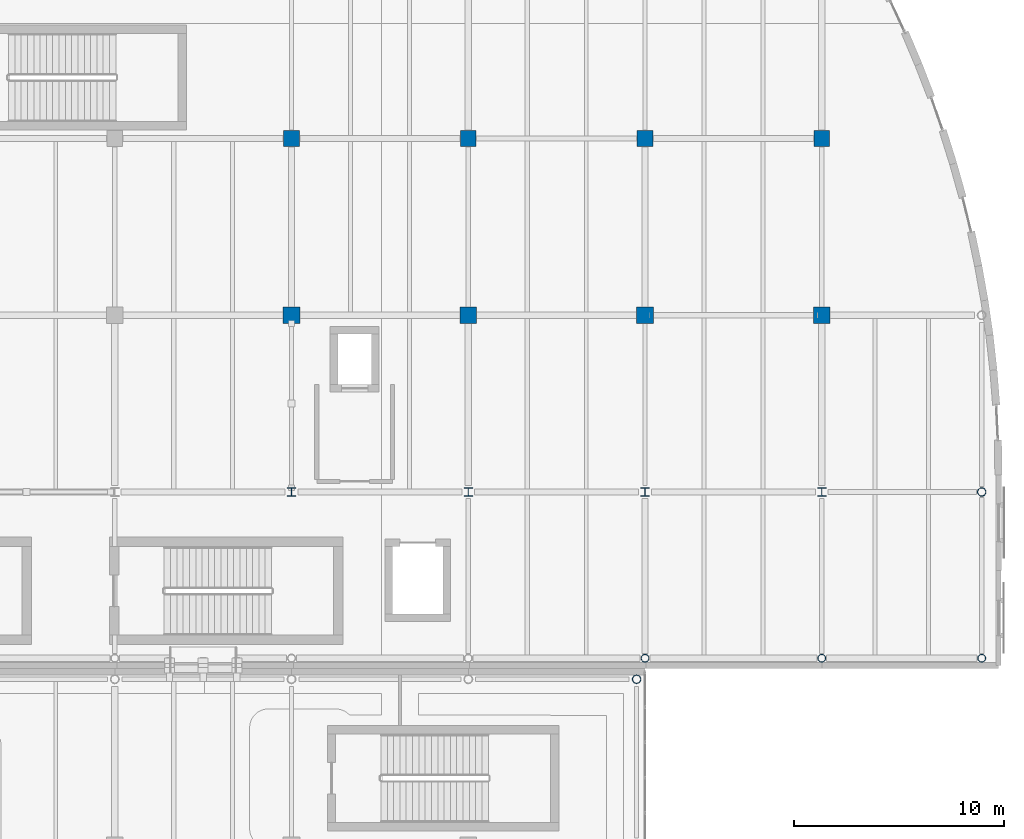
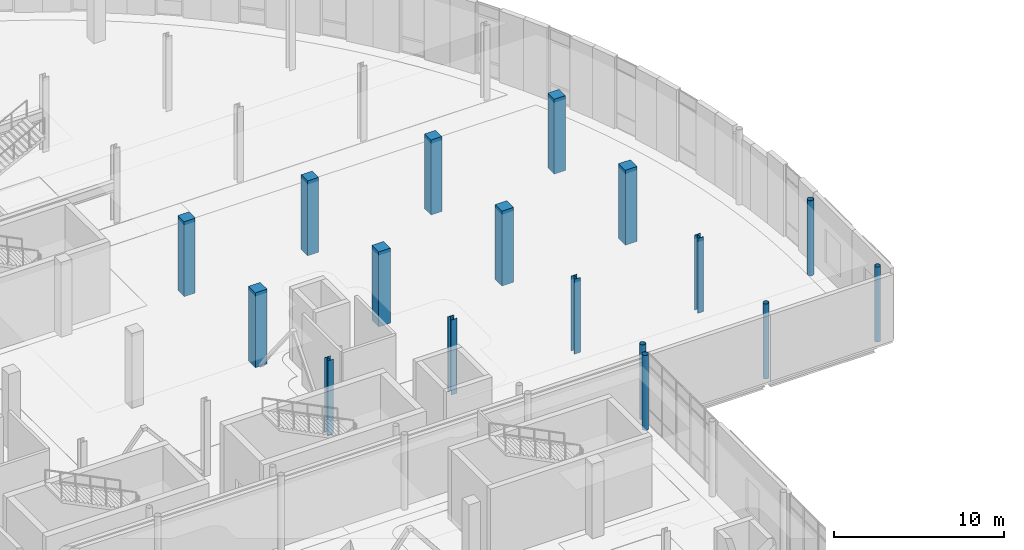
# One storey, part 13 of 110: 17 columns.
"""IFC4 building model written with IfcOpenShell, lengths in metres."""

from ifc_helpers import new_model, si_unit, direction, frame, origin, origin_2d, place, context, subcontext, project, spatial, rectangle, hollow_circle, i_section, extrude, material, material_profile, profile_set, type_object, element, save


model = new_model("IFC4")

# Units and contexts
model_context = context("Model", 3, precision=1e-05, world=origin(), true_north=direction((0.0, 1.0)))
body_context = subcontext(model_context, "Body", "Model", "MODEL_VIEW")
ifc_project = project(units=[si_unit("LENGTHUNIT", "METRE"), si_unit("AREAUNIT", "SQUARE_METRE"), si_unit("VOLUMEUNIT", "CUBIC_METRE"), si_unit("PLANEANGLEUNIT", "RADIAN"), si_unit("MASSUNIT", "GRAM", prefix="KILO"), si_unit("THERMODYNAMICTEMPERATUREUNIT", "KELVIN")], contexts=[model_context])

# Site, building, storey
site_placement = place(None, origin())
site = spatial("IfcSite", under=ifc_project, at=site_placement, CompositionType="ELEMENT")
building_placement = place(site_placement, origin())
building = spatial("IfcBuilding", under=site, at=building_placement, Name="Lustrewick Department Store", CompositionType="ELEMENT")
storey_placement = place(building_placement, frame((0.0, 0.0, 6.0)))
storey = spatial("IfcBuildingStorey", under=building, at=storey_placement, Name="L02", CompositionType="ELEMENT", Elevation=6.0)

# Columns
ifc_material_1 = material(Name="Structural steel Q355C", Category="steel")
ifc_material_profile_1 = material_profile(ifc_material_1, i_section(OverallWidth=0.405029296875, OverallDepth=0.4140625, WebThickness=0.01806640625, FlangeThickness=0.028076171875, FilletRadius=0.02197265625, at=origin_2d()), Name="HW 414x405x18x28")
ifc_profile_set_1 = profile_set([ifc_material_profile_1], Name="Structural steel Q355C")
column_type_1 = type_object("IfcColumnType", Name="C10", PredefinedType="COLUMN", material=ifc_profile_set_1)
for number, where, z_axis, x_axis, name in (
    (1, (134.39990234375, 58.800048828125, 0.0), (0.0, 0.0, 1.0), (1.0, 0.0, 0.0), "L02 V4 Column C10"),
    (2, (142.800048828125, 58.800048828125, 0.0), (0.0, 0.0, 1.0), (1.0, 0.0, 0.0), "L02 V4 Column C10"),
    (3, (151.199951171875, 58.800048828125, 0.0), (0.0, 0.0, 1.0), (1.0, 0.0, 0.0), "L02 V4 Column C10"),
    (4, (159.60009765625, 58.800048828125, 0.0), (0.0, 0.0, 1.0), (1.0, 0.0, 0.0), "L02 V4 Column C10"),
):
    element("IfcColumn", number, at=place(storey_placement, frame(where, z_axis=z_axis, x_axis=x_axis)), inside=storey, type_object=column_type_1, Name=name, PredefinedType="COLUMN", context=body_context, shape_type="SweptSolid", body=[
        extrude(i_section(OverallWidth=0.405029296875, OverallDepth=0.4140625, WebThickness=0.01806640625, FlangeThickness=0.028076171875, FilletRadius=0.02197265625, at=origin_2d()), origin(), (0.0, 0.0, 1.0), 5.39990234375),
    ])
ifc_material_2 = material(Name="Concrete C40", Category="concrete")
ifc_material_profile_2 = material_profile(ifc_material_2, rectangle(XDim=0.800048828125, YDim=0.800048828125, at=origin_2d()), Name="RC 800x800")
ifc_profile_set_2 = profile_set([ifc_material_profile_2], Name="Concrete C40")
column_type_2 = type_object("IfcColumnType", Name="C19", PredefinedType="COLUMN", material=ifc_profile_set_2)
for number, where, z_axis, x_axis, name in (
    (5, (134.39990234375, 67.199951171875, 0.0), (0.0, 0.0, 1.0), (1.0, 0.0, 0.0), "L02 V4 Column C19"),
    (6, (142.800048828125, 67.199951171875, 0.0), (0.0, 0.0, 1.0), (1.0, 0.0, 0.0), "L02 V4 Column C19"),
    (7, (151.199951171875, 67.199951171875, 0.0), (0.0, 0.0, 1.0), (1.0, 0.0, 0.0), "L02 V4 Column C19"),
    (8, (159.60009765625, 67.199951171875, 0.0), (0.0, 0.0, 1.0), (1.0, 0.0, 0.0), "L02 V4 Column C19"),
):
    element("IfcColumn", number, at=place(storey_placement, frame(where, z_axis=z_axis, x_axis=x_axis)), inside=storey, type_object=column_type_2, Name=name, PredefinedType="COLUMN", context=body_context, shape_type="SweptSolid", body=[
        extrude(rectangle(XDim=0.800048828125, YDim=0.800048828125, at=origin_2d()), origin(), (0.0, 0.0, 1.0), 5.39990234375),
    ])
ifc_material_profile_3 = material_profile(ifc_material_2, rectangle(XDim=0.75, YDim=0.75, at=origin_2d()), Name="RC 750x750")
ifc_profile_set_3 = profile_set([ifc_material_profile_3], Name="Concrete C40")
column_type_3 = type_object("IfcColumnType", Name="C20", PredefinedType="COLUMN", material=ifc_profile_set_3)
for number, where, z_axis, x_axis, name in (
    (9, (134.39990234375, 75.60009765625, 0.0), (0.0, 0.0, 1.0), (1.0, 0.0, 0.0), "L02 V4 Column C20"),
    (10, (142.800048828125, 75.60009765625, 0.0), (0.0, 0.0, 1.0), (1.0, 0.0, 0.0), "L02 V4 Column C20"),
    (11, (151.199951171875, 75.60009765625, 0.0), (0.0, 0.0, 1.0), (1.0, 0.0, 0.0), "L02 V4 Column C20"),
    (12, (159.60009765625, 75.60009765625, 0.0), (0.0, 0.0, 1.0), (1.0, 0.0, 0.0), "L02 V4 Column C20"),
):
    element("IfcColumn", number, at=place(storey_placement, frame(where, z_axis=z_axis, x_axis=x_axis)), inside=storey, type_object=column_type_3, Name=name, PredefinedType="COLUMN", context=body_context, shape_type="SweptSolid", body=[
        extrude(rectangle(XDim=0.75, YDim=0.75, at=origin_2d()), origin(), (0.0, 0.0, 1.0), 5.39990234375),
    ])
ifc_material_profile_4 = material_profile(ifc_material_1, hollow_circle(Radius=0.202880859375, WallThickness=0.01611328125, at=origin_2d()), Name="CHS 406x16")
ifc_profile_set_4 = profile_set([ifc_material_profile_4], Name="Structural steel Q355C")
column_type_4 = type_object("IfcColumnType", Name="CE03", PredefinedType="COLUMN", material=ifc_profile_set_4)
for number, where, z_axis, x_axis, name in (
    (13, (150.800048828125, 49.89990234375, 0.0), (0.0, 0.0, 1.0), (1.0, 0.0, 0.0), "L02 V3 Column CE03"),
    (14, (167.199951171875, 58.800048828125, 0.0), (0.0, 0.0, 1.0), (1.0, 0.0, 0.0), "L02 V4 Column CE03"),
):
    element("IfcColumn", number, at=place(storey_placement, frame(where, z_axis=z_axis, x_axis=x_axis)), inside=storey, type_object=column_type_4, Name=name, PredefinedType="COLUMN", context=body_context, shape_type="SweptSolid", body=[
        extrude(hollow_circle(Radius=0.202880859375, WallThickness=0.01611328125, at=origin_2d()), origin(), (0.0, 0.0, 1.0), 5.39990234375),
    ])
ifc_material_3 = material(Name="Structural steel Q355B", Category="steel")
ifc_material_profile_5 = material_profile(ifc_material_3, hollow_circle(Radius=0.1884765625, WallThickness=0.013916015625, at=origin_2d()), Name="CHS 377x14")
ifc_profile_set_5 = profile_set([ifc_material_profile_5], Name="Structural steel Q355B")
column_type_5 = type_object("IfcColumnType", Name="CE04", PredefinedType="COLUMN", material=ifc_profile_set_5)
for number, where, z_axis, x_axis, name in (
    (15, (151.199951171875, 50.89990234375, 0.0), (0.0, 0.0, 1.0), (1.0, 0.0, 0.0), "L02 V4 Column CE04"),
    (16, (159.60009765625, 50.89990234375, 0.0), (0.0, 0.0, 1.0), (1.0, 0.0, 0.0), "L02 V4 Column CE04"),
    (17, (167.199951171875, 50.89990234375, 0.0), (0.0, 0.0, 1.0), (1.0, 0.0, 0.0), "L02 V4 Column CE04"),
):
    element("IfcColumn", number, at=place(storey_placement, frame(where, z_axis=z_axis, x_axis=x_axis)), inside=storey, type_object=column_type_5, Name=name, PredefinedType="COLUMN", context=body_context, shape_type="SweptSolid", body=[
        extrude(hollow_circle(Radius=0.1884765625, WallThickness=0.013916015625, at=origin_2d()), origin(), (0.0, 0.0, 1.0), 5.39990234375),
    ])

save(model, "model.ifc")
